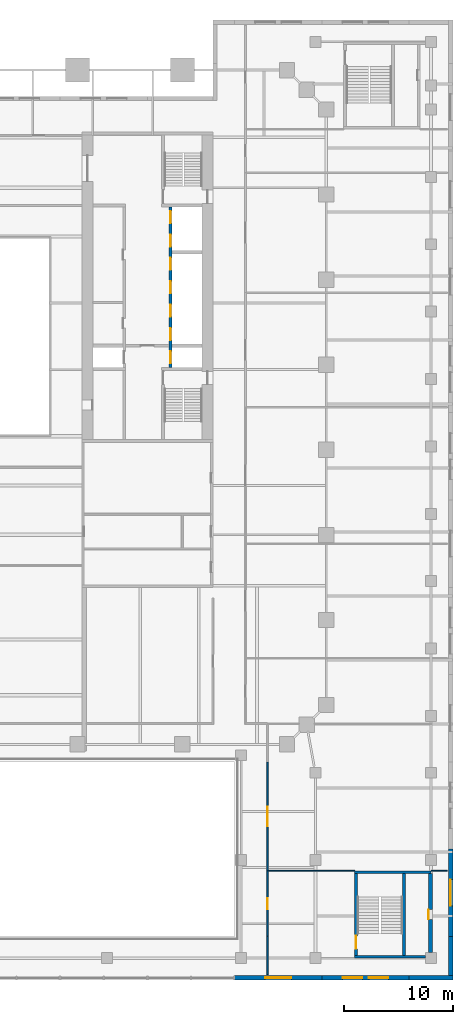
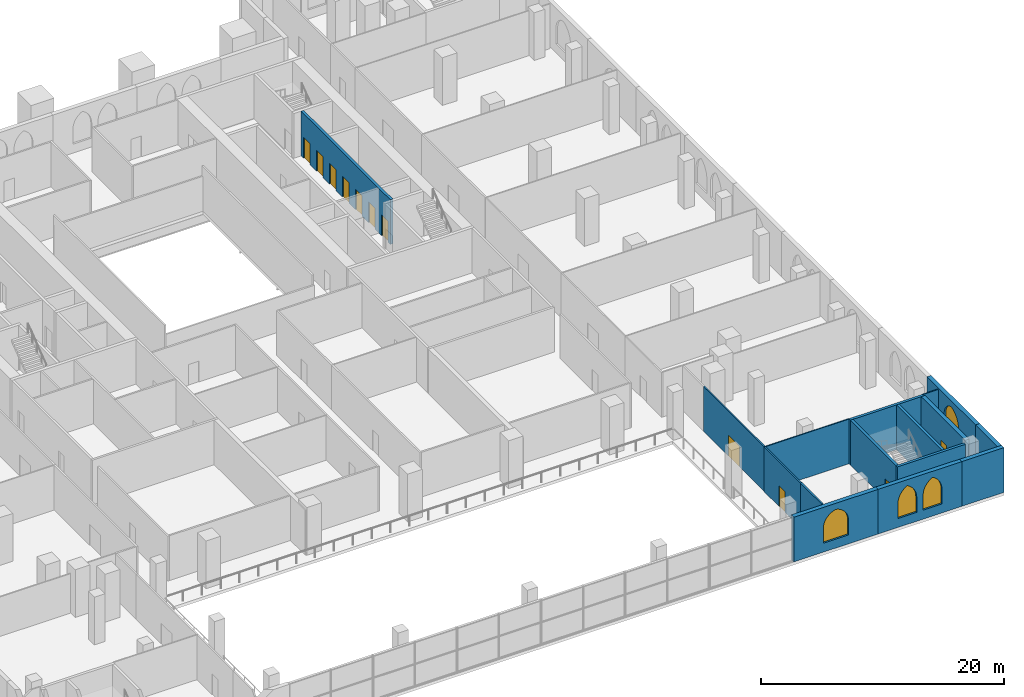
# One storey, part 12 of 19: 16 walls, 11 doors, 4 windows, 15 openings.
"""IFC4 building model written with IfcOpenShell, lengths in metres."""

from ifc_helpers import new_model, si_unit, direction, frame, frame_2d, origin, place, context, subcontext, project, spatial, polyline, rectangle, outline, extrude, material, layer, layer_set, type_object, element, fill, save


model = new_model("IFC4")

# Units and contexts
model_context = context("Model", 3, precision=1e-05, world=origin(), true_north=direction((0.0, 1.0)))
body_context = subcontext(model_context, "Body", "Model", "MODEL_VIEW")
ifc_project = project(units=[si_unit("LENGTHUNIT", "METRE"), si_unit("AREAUNIT", "SQUARE_METRE"), si_unit("VOLUMEUNIT", "CUBIC_METRE"), si_unit("PLANEANGLEUNIT", "RADIAN"), si_unit("MASSUNIT", "GRAM", prefix="KILO")], contexts=[model_context])

# Site, building, storey
site_placement = place(None, origin())
site = spatial("IfcSite", under=ifc_project, at=site_placement, CompositionType="ELEMENT")
building_placement = place(site_placement, origin())
building = spatial("IfcBuilding", under=site, at=building_placement, Name="Ogive Exchange Tower", CompositionType="ELEMENT")
storey_placement = place(building_placement, frame((0.0, 0.0, 24.0)))
storey = spatial("IfcBuildingStorey", under=building, at=storey_placement, Name="L04", CompositionType="ELEMENT", Elevation=24.0)

# Wall
ifc_material_1 = material(Name="Fire partition EI 60 150")
ifc_layer_1 = layer(ifc_material_1, 0.14990234375)
ifc_layer_set_1 = layer_set([ifc_layer_1], Name="Fire partition EI 60 150")
wall_type_1 = type_object("IfcWallType", Name="Fire partition EI 60 150", PredefinedType="PARTITIONING", material=ifc_layer_set_1)
wall_1_placement = place(storey_placement, frame((27.0, -51.5, 0.0), z_axis=(0.0, 0.0, 1.0), x_axis=(0.0, 1.0, 0.0)))
element("IfcWall", 1, at=wall_1_placement, inside=storey, type_object=wall_type_1, Name="L04-PWL-066", PredefinedType="PARTITIONING", context=body_context, shape_type="SweptSolid", body=[
    extrude(rectangle(XDim=3.5, YDim=0.14990234375, at=frame_2d((1.75, 0.0))), origin(), (0.0, 0.0, 1.0), 4.5),
])

# Wall, opening, door
wall_2_placement = place(storey_placement, frame((27.0, -48.0, 0.0), z_axis=(0.0, 0.0, 1.0), x_axis=(0.0, 1.0, 0.0)))
wall_2 = element("IfcWall", 2, at=wall_2_placement, inside=storey, type_object=wall_type_1, Name="L04-PWL-067", PredefinedType="PARTITIONING", context=body_context, shape_type="SweptSolid", body=[
    extrude(rectangle(XDim=6.0, YDim=0.14990234375, at=frame_2d((3.0, 0.0))), origin(), (0.0, 0.0, 1.0), 4.5),
])
opening_1_placement = place(wall_2_placement, frame((2.5, 0.0, 0.0)))
opening_1 = element("IfcOpeningElement", 3, at=opening_1_placement, cuts=wall_2, Name="Opening L04-I16", PredefinedType="OPENING", context=body_context, shape_type="SweptSolid", body=[
    extrude(rectangle(XDim=1.0, YDim=2.10009765625, at=frame_2d((0.5, 1.050048828125))), frame((0.0, 0.0849609375, 0.0), z_axis=(0.0, -1.0, 0.0), x_axis=(1.0, 0.0, 0.0)), (0.0, 0.0, 1.0), 0.169921875),
])
ifc_material_2 = material(Name="Fire door FD 30S 1000 x 2100")
door_type_1 = type_object("IfcDoorType", Name="Fire door FD 30S 1000 x 2100", OperationType="NOTDEFINED", PredefinedType="DOOR", material=ifc_material_2)
door_1_placement = place(opening_1_placement, frame((1.0, 0.0, 0.0), z_axis=(0.0, 0.0, 1.0), x_axis=(-1.0, 0.0, 0.0)))
door_1 = element("IfcDoor", 4, at=door_1_placement, inside=storey, type_object=door_type_1, Name="L04-IDR-016", ObjectType="DT3", OperationType="SINGLE_SWING_RIGHT", OverallHeight=2.10009765625, OverallWidth=1.0, PredefinedType="DOOR", context=body_context, shape_type="SweptSolid", body=[
    extrude(rectangle(XDim=1.0, YDim=2.10009765625, at=frame_2d((0.5, 1.050048828125))), frame((0.0, 0.02490234375, 0.0), z_axis=(0.0, -1.0, 0.0), x_axis=(1.0, 0.0, 0.0)), (0.0, 0.0, 1.0), 0.050048828125),
])
fill(opening_1, door_1)

ifc_material_3 = material(Name="Glazed fire partition EI 60 120")
ifc_layer_2 = layer(ifc_material_3, 0.1201171875)
ifc_layer_set_2 = layer_set([ifc_layer_2], Name="Glazed fire partition EI 60 120")
wall_type_2 = type_object("IfcWallType", Name="Glazed fire partition EI 60 120", PredefinedType="PARTITIONING", material=ifc_layer_set_2)
wall_3_placement = place(storey_placement, frame((27.0, -42.0, 0.0), z_axis=(0.0, 0.0, 1.0), x_axis=(0.0, 1.0, 0.0)))
wall_3 = element("IfcWall", 5, at=wall_3_placement, inside=storey, type_object=wall_type_2, Name="L04-PWL-068", PredefinedType="PARTITIONING", context=body_context, shape_type="SweptSolid", body=[
    extrude(rectangle(XDim=10.0, YDim=0.1201171875, at=frame_2d((5.0, 0.0))), origin(), (0.0, 0.0, 1.0), 4.5),
])
opening_2_placement = place(wall_3_placement, frame((4.10009765625, 0.0, 0.0)))
opening_2 = element("IfcOpeningElement", 6, at=opening_2_placement, cuts=wall_3, Name="Opening L04-I17", PredefinedType="OPENING", context=body_context, shape_type="SweptSolid", body=[
    extrude(rectangle(XDim=1.800048828125, YDim=2.10009765625, at=frame_2d((0.89990234375, 1.050048828125))), frame((0.0, 0.070068359375, 0.0), z_axis=(0.0, -1.0, 0.0), x_axis=(1.0, 0.0, 0.0)), (0.0, 0.0, 1.0), 0.14013671875),
])
ifc_material_4 = material(Name="Fire door FD 30S 1800 x 2100")
door_type_2 = type_object("IfcDoorType", Name="Fire door FD 30S 1800 x 2100", OperationType="DOUBLE_DOOR_SINGLE_SWING", PredefinedType="DOOR", material=ifc_material_4)
door_2_placement = place(opening_2_placement, frame((1.800048828125, 0.0, 0.0), z_axis=(0.0, 0.0, 1.0), x_axis=(-1.0, 0.0, 0.0)))
door_2 = element("IfcDoor", 7, at=door_2_placement, inside=storey, type_object=door_type_2, Name="L04-IDR-017", ObjectType="DT4", OperationType="SINGLE_SWING_RIGHT", OverallHeight=2.10009765625, OverallWidth=1.800048828125, PredefinedType="DOOR", context=body_context, shape_type="SweptSolid", body=[
    extrude(rectangle(XDim=1.800048828125, YDim=2.10009765625, at=frame_2d((0.89990234375, 1.050048828125))), frame((0.0, 0.02490234375, 0.0), z_axis=(0.0, -1.0, 0.0), x_axis=(1.0, 0.0, 0.0)), (0.0, 0.0, 1.0), 0.050048828125),
])
fill(opening_2, door_2)

# Wall, opening, window
ifc_material_5 = material(Name="Precast concrete C40/50", Category="concrete")
ifc_layer_3 = layer(ifc_material_5, 0.39990234375)
ifc_layer_set_3 = layer_set([ifc_layer_3], Name="Limestone-faced wall 400")
wall_type_3 = type_object("IfcWallType", Name="Limestone-faced wall 400", PredefinedType="STANDARD", material=ifc_layer_set_3)
wall_4_placement = place(storey_placement, frame((24.0, -51.800048828125, 0.0), z_axis=(0.0, 0.0, 1.0), x_axis=(1.0, 0.0, 0.0)))
wall_4 = element("IfcWall", 8, at=wall_4_placement, inside=storey, type_object=wall_type_3, Name="Podium wall S10", PredefinedType="STANDARD", context=body_context, shape_type="SweptSolid", body=[
    extrude(rectangle(XDim=8.0, YDim=0.39990234375, at=frame_2d((4.0, 0.0))), origin(), (0.0, 0.0, 1.0), 4.5),
])
opening_3_placement = place(wall_4_placement, frame((2.800048828125, 0.0, 0.89990234375)))
opening_3 = element("IfcOpeningElement", 9, at=opening_3_placement, cuts=wall_4, Name="Opening WP300", PredefinedType="OPENING", context=body_context, shape_type="SweptSolid", body=[
    extrude(outline(polyline([(0.0, 0.0), (2.39990234375, 0.0), (2.39990234375, 1.5), (2.378173828125, 1.758056640625), (2.313232421875, 2.009033203125), (2.207275390625, 2.245361328125), (2.06298828125, 2.46044921875), (1.884765625, 2.6484375), (1.677490234375, 2.8037109375), (1.447021484375, 2.922119140625), (1.199951171875, 3.0), (0.952880859375, 2.922119140625), (0.722412109375, 2.8037109375), (0.51513671875, 2.6484375), (0.3369140625, 2.46044921875), (0.192626953125, 2.245361328125), (0.086669921875, 2.009033203125), (0.021728515625, 1.758056640625), (0.0, 1.5), (0.0, 0.0)])), frame((0.0, 0.2099609375, 0.0), z_axis=(0.0, -1.0, 0.0), x_axis=(1.0, 0.0, 0.0)), (0.0, 0.0, 1.0), 0.419921875),
])
ifc_material_6 = material(Name="Clear glass in bronze frame", Category="glass")
window_type_1 = type_object("IfcWindowType", Name="Podium lancet window 2400 x 3000", PartitioningType="DOUBLE_PANEL_VERTICAL", PredefinedType="WINDOW", material=ifc_material_6)
window_1_placement = place(opening_3_placement, origin())
window_1 = element("IfcWindow", 10, at=window_1_placement, inside=storey, type_object=window_type_1, Name="Podium window S10", OverallHeight=3.0, OverallWidth=2.39990234375, PartitioningType="DOUBLE_PANEL_VERTICAL", PredefinedType="WINDOW", context=body_context, shape_type="SweptSolid", body=[
    extrude(outline(polyline([(0.0, 0.0), (2.39990234375, 0.0), (2.39990234375, 1.5), (2.378173828125, 1.758056640625), (2.313232421875, 2.009033203125), (2.207275390625, 2.245361328125), (2.06298828125, 2.46044921875), (1.884765625, 2.6484375), (1.677490234375, 2.8037109375), (1.447021484375, 2.922119140625), (1.199951171875, 3.0), (0.952880859375, 2.922119140625), (0.722412109375, 2.8037109375), (0.51513671875, 2.6484375), (0.3369140625, 2.46044921875), (0.192626953125, 2.245361328125), (0.086669921875, 2.009033203125), (0.021728515625, 1.758056640625), (0.0, 1.5), (0.0, 0.0)])), frame((0.0, 0.030029296875, 0.0), z_axis=(0.0, -1.0, 0.0), x_axis=(1.0, 0.0, 0.0)), (0.0, 0.0, 1.0), 0.06005859375),
])
fill(opening_3, window_1)

# Wall, openings, windows
wall_5_placement = place(storey_placement, frame((32.0, -51.800048828125, 0.0), z_axis=(0.0, 0.0, 1.0), x_axis=(1.0, 0.0, 0.0)))
wall_5 = element("IfcWall", 11, at=wall_5_placement, inside=storey, type_object=wall_type_3, Name="Podium wall S11", PredefinedType="STANDARD", context=body_context, shape_type="SweptSolid", body=[
    extrude(rectangle(XDim=8.0, YDim=0.39990234375, at=frame_2d((4.0, 0.0))), origin(), (0.0, 0.0, 1.0), 4.5),
])
opening_4_placement = place(wall_5_placement, frame((1.89990234375, 0.0, 0.89990234375)))
opening_4 = element("IfcOpeningElement", 12, at=opening_4_placement, cuts=wall_5, Name="Opening WQ300", PredefinedType="OPENING", context=body_context, shape_type="SweptSolid", body=[
    extrude(outline(polyline([(0.0, 0.0), (1.800048828125, 0.0), (1.800048828125, 1.5), (1.78466796875, 1.72900390625), (1.73828125, 1.953857421875), (1.662353515625, 2.17041015625), (1.557861328125, 2.374755859375), (1.4267578125, 2.56298828125), (1.271484375, 2.73193359375), (1.0947265625, 2.878662109375), (0.89990234375, 3.0), (0.705322265625, 2.878662109375), (0.528564453125, 2.73193359375), (0.373291015625, 2.56298828125), (0.2421875, 2.374755859375), (0.1376953125, 2.17041015625), (0.061767578125, 1.953857421875), (0.015380859375, 1.72900390625), (0.0, 1.5), (0.0, 0.0)])), frame((0.0, 0.2099609375, 0.0), z_axis=(0.0, -1.0, 0.0), x_axis=(1.0, 0.0, 0.0)), (0.0, 0.0, 1.0), 0.419921875),
])
opening_5_placement = place(wall_5_placement, frame((4.300048828125, 0.0, 0.89990234375)))
opening_5 = element("IfcOpeningElement", 13, at=opening_5_placement, cuts=wall_5, Name="Opening WQ300", PredefinedType="OPENING", context=body_context, shape_type="SweptSolid", body=[
    extrude(outline(polyline([(0.0, 0.0), (1.800048828125, 0.0), (1.800048828125, 1.5), (1.78466796875, 1.72900390625), (1.73828125, 1.953857421875), (1.662353515625, 2.17041015625), (1.557861328125, 2.374755859375), (1.4267578125, 2.56298828125), (1.271484375, 2.73193359375), (1.0947265625, 2.878662109375), (0.89990234375, 3.0), (0.705322265625, 2.878662109375), (0.528564453125, 2.73193359375), (0.373291015625, 2.56298828125), (0.2421875, 2.374755859375), (0.1376953125, 2.17041015625), (0.061767578125, 1.953857421875), (0.015380859375, 1.72900390625), (0.0, 1.5), (0.0, 0.0)])), frame((0.0, 0.2099609375, 0.0), z_axis=(0.0, -1.0, 0.0), x_axis=(1.0, 0.0, 0.0)), (0.0, 0.0, 1.0), 0.419921875),
])
window_type_2 = type_object("IfcWindowType", Name="Podium paired lancet 1800 x 3000", PartitioningType="DOUBLE_PANEL_VERTICAL", PredefinedType="WINDOW", material=ifc_material_6)
window_2_placement = place(opening_4_placement, origin())
window_2 = element("IfcWindow", 14, at=window_2_placement, inside=storey, type_object=window_type_2, Name="Podium paired lancet S11.1", OverallHeight=3.0, OverallWidth=1.800048828125, PartitioningType="DOUBLE_PANEL_VERTICAL", PredefinedType="WINDOW", context=body_context, shape_type="SweptSolid", body=[
    extrude(outline(polyline([(0.0, 0.0), (1.800048828125, 0.0), (1.800048828125, 1.5), (1.78466796875, 1.72900390625), (1.73828125, 1.953857421875), (1.662353515625, 2.17041015625), (1.557861328125, 2.374755859375), (1.4267578125, 2.56298828125), (1.271484375, 2.73193359375), (1.0947265625, 2.878662109375), (0.89990234375, 3.0), (0.705322265625, 2.878662109375), (0.528564453125, 2.73193359375), (0.373291015625, 2.56298828125), (0.2421875, 2.374755859375), (0.1376953125, 2.17041015625), (0.061767578125, 1.953857421875), (0.015380859375, 1.72900390625), (0.0, 1.5), (0.0, 0.0)])), frame((0.0, 0.030029296875, 0.0), z_axis=(0.0, -1.0, 0.0), x_axis=(1.0, 0.0, 0.0)), (0.0, 0.0, 1.0), 0.06005859375),
])
fill(opening_4, window_2)
window_3_placement = place(opening_5_placement, origin())
window_3 = element("IfcWindow", 15, at=window_3_placement, inside=storey, type_object=window_type_2, Name="Podium paired lancet S11.2", OverallHeight=3.0, OverallWidth=1.800048828125, PartitioningType="DOUBLE_PANEL_VERTICAL", PredefinedType="WINDOW", context=body_context, shape_type="SweptSolid", body=[
    extrude(outline(polyline([(0.0, 0.0), (1.800048828125, 0.0), (1.800048828125, 1.5), (1.78466796875, 1.72900390625), (1.73828125, 1.953857421875), (1.662353515625, 2.17041015625), (1.557861328125, 2.374755859375), (1.4267578125, 2.56298828125), (1.271484375, 2.73193359375), (1.0947265625, 2.878662109375), (0.89990234375, 3.0), (0.705322265625, 2.878662109375), (0.528564453125, 2.73193359375), (0.373291015625, 2.56298828125), (0.2421875, 2.374755859375), (0.1376953125, 2.17041015625), (0.061767578125, 1.953857421875), (0.015380859375, 1.72900390625), (0.0, 1.5), (0.0, 0.0)])), frame((0.0, 0.030029296875, 0.0), z_axis=(0.0, -1.0, 0.0), x_axis=(1.0, 0.0, 0.0)), (0.0, 0.0, 1.0), 0.06005859375),
])
fill(opening_5, window_3)

# Walls
wall_6_placement = place(storey_placement, frame((40.0, -51.800048828125, 0.0), z_axis=(0.0, 0.0, 1.0), x_axis=(1.0, 0.0, 0.0)))
element("IfcWall", 16, at=wall_6_placement, inside=storey, type_object=wall_type_3, Name="Podium wall S12", PredefinedType="STANDARD", context=body_context, shape_type="SweptSolid", body=[
    extrude(rectangle(XDim=4.0, YDim=0.39990234375, at=frame_2d((2.0, 0.0))), origin(), (0.0, 0.0, 1.0), 4.5),
])
wall_7_placement = place(storey_placement, frame((43.800048828125, -51.60009765625, 0.0), z_axis=(0.0, 0.0, 1.0), x_axis=(0.0, 1.0, 0.0)))
element("IfcWall", 17, at=wall_7_placement, inside=storey, type_object=wall_type_3, Name="Podium wall E1", PredefinedType="STANDARD", context=body_context, shape_type="SweptSolid", body=[
    extrude(rectangle(XDim=3.60009765625, YDim=0.39990234375, at=frame_2d((1.800048828125, 0.0))), origin(), (0.0, 0.0, 1.0), 4.5),
])

# Wall, opening, window
wall_8_placement = place(storey_placement, frame((43.800048828125, -48.0, 0.0), z_axis=(0.0, 0.0, 1.0), x_axis=(0.0, 1.0, 0.0)))
wall_8 = element("IfcWall", 18, at=wall_8_placement, inside=storey, type_object=wall_type_3, Name="Podium wall E2", PredefinedType="STANDARD", context=body_context, shape_type="SweptSolid", body=[
    extrude(rectangle(XDim=8.0, YDim=0.39990234375, at=frame_2d((4.0, 0.0))), origin(), (0.0, 0.0, 1.0), 4.5),
])
opening_6_placement = place(wall_8_placement, frame((2.800048828125, 0.0, 0.89990234375)))
opening_6 = element("IfcOpeningElement", 19, at=opening_6_placement, cuts=wall_8, Name="Opening WP300", PredefinedType="OPENING", context=body_context, shape_type="SweptSolid", body=[
    extrude(outline(polyline([(0.0, 0.0), (2.39990234375, 0.0), (2.39990234375, 1.5), (2.378173828125, 1.758056640625), (2.313232421875, 2.009033203125), (2.207275390625, 2.245361328125), (2.06298828125, 2.46044921875), (1.884765625, 2.6484375), (1.677490234375, 2.8037109375), (1.447021484375, 2.922119140625), (1.199951171875, 3.0), (0.952880859375, 2.922119140625), (0.722412109375, 2.8037109375), (0.51513671875, 2.6484375), (0.3369140625, 2.46044921875), (0.192626953125, 2.245361328125), (0.086669921875, 2.009033203125), (0.021728515625, 1.758056640625), (0.0, 1.5), (0.0, 0.0)])), frame((0.0, 0.2099609375, 0.0), z_axis=(0.0, -1.0, 0.0), x_axis=(1.0, 0.0, 0.0)), (0.0, 0.0, 1.0), 0.419921875),
])
window_4_placement = place(opening_6_placement, origin())
window_4 = element("IfcWindow", 20, at=window_4_placement, inside=storey, type_object=window_type_1, Name="Podium window E2", OverallHeight=3.0, OverallWidth=2.39990234375, PartitioningType="DOUBLE_PANEL_VERTICAL", PredefinedType="WINDOW", context=body_context, shape_type="SweptSolid", body=[
    extrude(outline(polyline([(0.0, 0.0), (2.39990234375, 0.0), (2.39990234375, 1.5), (2.378173828125, 1.758056640625), (2.313232421875, 2.009033203125), (2.207275390625, 2.245361328125), (2.06298828125, 2.46044921875), (1.884765625, 2.6484375), (1.677490234375, 2.8037109375), (1.447021484375, 2.922119140625), (1.199951171875, 3.0), (0.952880859375, 2.922119140625), (0.722412109375, 2.8037109375), (0.51513671875, 2.6484375), (0.3369140625, 2.46044921875), (0.192626953125, 2.245361328125), (0.086669921875, 2.009033203125), (0.021728515625, 1.758056640625), (0.0, 1.5), (0.0, 0.0)])), frame((0.0, 0.030029296875, 0.0), z_axis=(0.0, -1.0, 0.0), x_axis=(1.0, 0.0, 0.0)), (0.0, 0.0, 1.0), 0.06005859375),
])
fill(opening_6, window_4)

# Walls
ifc_material_7 = material(Name="Partition 100 gypsum")
ifc_layer_4 = layer(ifc_material_7, 0.10009765625)
ifc_layer_set_4 = layer_set([ifc_layer_4], Name="Partition 100 gypsum")
wall_type_4 = type_object("IfcWallType", Name="Partition 100 gypsum", PredefinedType="PARTITIONING", material=ifc_layer_set_4)
wall_9_placement = place(storey_placement, frame((27.074951171875, -42.0, 0.0), z_axis=(0.0, 0.0, 1.0), x_axis=(1.0, 0.0, 0.0)))
element("IfcWall", 21, at=wall_9_placement, inside=storey, type_object=wall_type_4, Name="L04-PWL-003", PredefinedType="PARTITIONING", context=body_context, shape_type="SweptSolid", body=[
    extrude(rectangle(XDim=7.925048828125, YDim=0.10009765625, at=frame_2d((3.96240234375, 0.0))), origin(), (0.0, 0.0, 1.0), 4.5),
])
wall_10_placement = place(storey_placement, frame((42.0, -42.0, 0.0), z_axis=(0.0, 0.0, 1.0), x_axis=(1.0, 0.0, 0.0)))
element("IfcWall", 22, at=wall_10_placement, inside=storey, type_object=wall_type_4, Name="L04-PWL-004", PredefinedType="PARTITIONING", context=body_context, shape_type="SweptSolid", body=[
    extrude(rectangle(XDim=1.5, YDim=0.10009765625, at=frame_2d((0.75, 0.0))), origin(), (0.0, 0.0, 1.0), 4.5),
])

# Wall, openings, doors
ifc_material_8 = material(Name="Concrete C70/85", Category="concrete")
ifc_layer_5 = layer(ifc_material_8, 0.25)
ifc_layer_set_5 = layer_set([ifc_layer_5], Name="RC core wall 250 C70/85")
wall_type_5 = type_object("IfcWallType", Name="RC core wall 250 C70/85", PredefinedType="SHEAR", material=ifc_layer_set_5)
wall_11_placement = place(storey_placement, frame((18.125, 4.14990234375, 0.0), z_axis=(0.0, 0.0, 1.0), x_axis=(0.0, 1.0, 0.0)))
wall_11 = element("IfcWall", 23, at=wall_11_placement, inside=storey, type_object=wall_type_5, Name="E row A front wall", PredefinedType="SHEAR", context=body_context, shape_type="SweptSolid", body=[
    extrude(rectangle(XDim=14.7001953125, YDim=0.25, at=frame_2d((7.35009765625, 0.0))), origin(), (0.0, 0.0, 1.0), 4.5),
])
opening_7_placement = place(wall_11_placement, frame((0.371337890625, 0.0, 0.0)))
opening_7 = element("IfcOpeningElement", 24, at=opening_7_placement, cuts=wall_11, Name="Opening L04-C23", PredefinedType="OPENING", context=body_context, shape_type="SweptSolid", body=[
    extrude(rectangle(XDim=1.10009765625, YDim=2.10009765625, at=frame_2d((0.550048828125, 1.050048828125))), frame((0.0, 0.135009765625, 0.0), z_axis=(0.0, -1.0, 0.0), x_axis=(1.0, 0.0, 0.0)), (0.0, 0.0, 1.0), 0.27001953125),
])
opening_8_placement = place(wall_11_placement, frame((2.514404296875, 0.0, 0.0)))
opening_8 = element("IfcOpeningElement", 25, at=opening_8_placement, cuts=wall_11, Name="Opening L04-C24", PredefinedType="OPENING", context=body_context, shape_type="SweptSolid", body=[
    extrude(rectangle(XDim=1.10009765625, YDim=2.10009765625, at=frame_2d((0.550048828125, 1.050048828125))), frame((0.0, 0.135009765625, 0.0), z_axis=(0.0, -1.0, 0.0), x_axis=(1.0, 0.0, 0.0)), (0.0, 0.0, 1.0), 0.27001953125),
])
opening_9_placement = place(wall_11_placement, frame((4.656982421875, 0.0, 0.0)))
opening_9 = element("IfcOpeningElement", 26, at=opening_9_placement, cuts=wall_11, Name="Opening L04-C25", PredefinedType="OPENING", context=body_context, shape_type="SweptSolid", body=[
    extrude(rectangle(XDim=1.10009765625, YDim=2.10009765625, at=frame_2d((0.550048828125, 1.050048828125))), frame((0.0, 0.135009765625, 0.0), z_axis=(0.0, -1.0, 0.0), x_axis=(1.0, 0.0, 0.0)), (0.0, 0.0, 1.0), 0.27001953125),
])
opening_10_placement = place(wall_11_placement, frame((6.800048828125, 0.0, 0.0)))
opening_10 = element("IfcOpeningElement", 27, at=opening_10_placement, cuts=wall_11, Name="Opening L04-C26", PredefinedType="OPENING", context=body_context, shape_type="SweptSolid", body=[
    extrude(rectangle(XDim=1.10009765625, YDim=2.10009765625, at=frame_2d((0.550048828125, 1.050048828125))), frame((0.0, 0.135009765625, 0.0), z_axis=(0.0, -1.0, 0.0), x_axis=(1.0, 0.0, 0.0)), (0.0, 0.0, 1.0), 0.27001953125),
])
opening_11_placement = place(wall_11_placement, frame((8.94287109375, 0.0, 0.0)))
opening_11 = element("IfcOpeningElement", 28, at=opening_11_placement, cuts=wall_11, Name="Opening L04-C27", PredefinedType="OPENING", context=body_context, shape_type="SweptSolid", body=[
    extrude(rectangle(XDim=1.10009765625, YDim=2.10009765625, at=frame_2d((0.550048828125, 1.050048828125))), frame((0.0, 0.135009765625, 0.0), z_axis=(0.0, -1.0, 0.0), x_axis=(1.0, 0.0, 0.0)), (0.0, 0.0, 1.0), 0.27001953125),
])
opening_12_placement = place(wall_11_placement, frame((11.085693359375, 0.0, 0.0)))
opening_12 = element("IfcOpeningElement", 29, at=opening_12_placement, cuts=wall_11, Name="Opening L04-C28", PredefinedType="OPENING", context=body_context, shape_type="SweptSolid", body=[
    extrude(rectangle(XDim=1.10009765625, YDim=2.10009765625, at=frame_2d((0.550048828125, 1.050048828125))), frame((0.0, 0.135009765625, 0.0), z_axis=(0.0, -1.0, 0.0), x_axis=(1.0, 0.0, 0.0)), (0.0, 0.0, 1.0), 0.27001953125),
])
opening_13_placement = place(wall_11_placement, frame((13.228515625, 0.0, 0.0)))
opening_13 = element("IfcOpeningElement", 30, at=opening_13_placement, cuts=wall_11, Name="Opening L04-C29", PredefinedType="OPENING", context=body_context, shape_type="SweptSolid", body=[
    extrude(rectangle(XDim=1.10009765625, YDim=2.10009765625, at=frame_2d((0.550048828125, 1.050048828125))), frame((0.0, 0.135009765625, 0.0), z_axis=(0.0, -1.0, 0.0), x_axis=(1.0, 0.0, 0.0)), (0.0, 0.0, 1.0), 0.27001953125),
])
ifc_material_9 = material(Name="Stainless steel", Category="steel")
door_type_3 = type_object("IfcDoorType", Name="Lift landing door FD90 1100 x 2100", OperationType="SLIDING_TO_LEFT", PredefinedType="DOOR", material=ifc_material_9)
door_3_placement = place(opening_7_placement, origin())
door_3 = element("IfcDoor", 31, at=door_3_placement, inside=storey, type_object=door_type_3, Name="Lift landing door FF2", ObjectType="LD", OperationType="SLIDING_TO_LEFT", OverallHeight=2.10009765625, OverallWidth=1.10009765625, PredefinedType="DOOR", context=body_context, shape_type="SweptSolid", body=[
    extrude(rectangle(XDim=1.10009765625, YDim=2.10009765625, at=frame_2d((0.550048828125, 1.050048828125))), frame((0.0, 0.02490234375, 0.0), z_axis=(0.0, -1.0, 0.0), x_axis=(1.0, 0.0, 0.0)), (0.0, 0.0, 1.0), 0.050048828125),
])
fill(opening_7, door_3)
door_4_placement = place(opening_8_placement, origin())
door_4 = element("IfcDoor", 32, at=door_4_placement, inside=storey, type_object=door_type_3, Name="Lift landing door E-L1", ObjectType="LD", OperationType="SLIDING_TO_LEFT", OverallHeight=2.10009765625, OverallWidth=1.10009765625, PredefinedType="DOOR", context=body_context, shape_type="SweptSolid", body=[
    extrude(rectangle(XDim=1.10009765625, YDim=2.10009765625, at=frame_2d((0.550048828125, 1.050048828125))), frame((0.0, 0.02490234375, 0.0), z_axis=(0.0, -1.0, 0.0), x_axis=(1.0, 0.0, 0.0)), (0.0, 0.0, 1.0), 0.050048828125),
])
fill(opening_8, door_4)
door_5_placement = place(opening_9_placement, origin())
door_5 = element("IfcDoor", 33, at=door_5_placement, inside=storey, type_object=door_type_3, Name="Lift landing door E-L2", ObjectType="LD", OperationType="SLIDING_TO_LEFT", OverallHeight=2.10009765625, OverallWidth=1.10009765625, PredefinedType="DOOR", context=body_context, shape_type="SweptSolid", body=[
    extrude(rectangle(XDim=1.10009765625, YDim=2.10009765625, at=frame_2d((0.550048828125, 1.050048828125))), frame((0.0, 0.02490234375, 0.0), z_axis=(0.0, -1.0, 0.0), x_axis=(1.0, 0.0, 0.0)), (0.0, 0.0, 1.0), 0.050048828125),
])
fill(opening_9, door_5)
door_6_placement = place(opening_10_placement, origin())
door_6 = element("IfcDoor", 34, at=door_6_placement, inside=storey, type_object=door_type_3, Name="Lift landing door E-L3", ObjectType="LD", OperationType="SLIDING_TO_LEFT", OverallHeight=2.10009765625, OverallWidth=1.10009765625, PredefinedType="DOOR", context=body_context, shape_type="SweptSolid", body=[
    extrude(rectangle(XDim=1.10009765625, YDim=2.10009765625, at=frame_2d((0.550048828125, 1.050048828125))), frame((0.0, 0.02490234375, 0.0), z_axis=(0.0, -1.0, 0.0), x_axis=(1.0, 0.0, 0.0)), (0.0, 0.0, 1.0), 0.050048828125),
])
fill(opening_10, door_6)
door_7_placement = place(opening_11_placement, origin())
door_7 = element("IfcDoor", 35, at=door_7_placement, inside=storey, type_object=door_type_3, Name="Lift landing door E-L4", ObjectType="LD", OperationType="SLIDING_TO_LEFT", OverallHeight=2.10009765625, OverallWidth=1.10009765625, PredefinedType="DOOR", context=body_context, shape_type="SweptSolid", body=[
    extrude(rectangle(XDim=1.10009765625, YDim=2.10009765625, at=frame_2d((0.550048828125, 1.050048828125))), frame((0.0, 0.02490234375, 0.0), z_axis=(0.0, -1.0, 0.0), x_axis=(1.0, 0.0, 0.0)), (0.0, 0.0, 1.0), 0.050048828125),
])
fill(opening_11, door_7)
door_8_placement = place(opening_12_placement, origin())
door_8 = element("IfcDoor", 36, at=door_8_placement, inside=storey, type_object=door_type_3, Name="Lift landing door E-SH1", ObjectType="LD", OperationType="SLIDING_TO_LEFT", OverallHeight=2.10009765625, OverallWidth=1.10009765625, PredefinedType="DOOR", context=body_context, shape_type="SweptSolid", body=[
    extrude(rectangle(XDim=1.10009765625, YDim=2.10009765625, at=frame_2d((0.550048828125, 1.050048828125))), frame((0.0, 0.02490234375, 0.0), z_axis=(0.0, -1.0, 0.0), x_axis=(1.0, 0.0, 0.0)), (0.0, 0.0, 1.0), 0.050048828125),
])
fill(opening_12, door_8)
door_9_placement = place(opening_13_placement, origin())
door_9 = element("IfcDoor", 37, at=door_9_placement, inside=storey, type_object=door_type_3, Name="Lift landing door E-SH2", ObjectType="LD", OperationType="SLIDING_TO_LEFT", OverallHeight=2.10009765625, OverallWidth=1.10009765625, PredefinedType="DOOR", context=body_context, shape_type="SweptSolid", body=[
    extrude(rectangle(XDim=1.10009765625, YDim=2.10009765625, at=frame_2d((0.550048828125, 1.050048828125))), frame((0.0, 0.02490234375, 0.0), z_axis=(0.0, -1.0, 0.0), x_axis=(1.0, 0.0, 0.0)), (0.0, 0.0, 1.0), 0.050048828125),
])
fill(opening_13, door_9)

# Walls
wall_12_placement = place(storey_placement, frame((35.0, -49.875, 0.0), z_axis=(0.0, 0.0, 1.0), x_axis=(1.0, 0.0, 0.0)))
element("IfcWall", 38, at=wall_12_placement, inside=storey, type_object=wall_type_5, Name="PS2 south wall", PredefinedType="SHEAR", context=body_context, shape_type="SweptSolid", body=[
    extrude(rectangle(XDim=6.5, YDim=0.25, at=frame_2d((3.25, 0.0))), origin(), (0.0, 0.0, 1.0), 4.5),
])
wall_13_placement = place(storey_placement, frame((35.0, -42.125, 0.0), z_axis=(0.0, 0.0, 1.0), x_axis=(1.0, 0.0, 0.0)))
element("IfcWall", 39, at=wall_13_placement, inside=storey, type_object=wall_type_5, Name="PS2 north wall", PredefinedType="SHEAR", context=body_context, shape_type="SweptSolid", body=[
    extrude(rectangle(XDim=7.0, YDim=0.25, at=frame_2d((3.5, 0.0))), origin(), (0.0, 0.0, 1.0), 4.5),
])

# Wall, opening, door
wall_14_placement = place(storey_placement, frame((35.125, -49.75, 0.0), z_axis=(0.0, 0.0, 1.0), x_axis=(0.0, 1.0, 0.0)))
wall_14 = element("IfcWall", 40, at=wall_14_placement, inside=storey, type_object=wall_type_5, Name="PS2 west wall", PredefinedType="SHEAR", context=body_context, shape_type="SweptSolid", body=[
    extrude(rectangle(XDim=7.5, YDim=0.25, at=frame_2d((3.75, 0.0))), origin(), (0.0, 0.0, 1.0), 4.5),
])
opening_14_placement = place(wall_14_placement, frame((0.60009765625, 0.0, 0.0)))
opening_14 = element("IfcOpeningElement", 41, at=opening_14_placement, cuts=wall_14, Name="Opening L04-C46", PredefinedType="OPENING", context=body_context, shape_type="SweptSolid", body=[
    extrude(rectangle(XDim=1.199951171875, YDim=2.10009765625, at=frame_2d((0.60009765625, 1.050048828125))), frame((0.0, 0.135009765625, 0.0), z_axis=(0.0, -1.0, 0.0), x_axis=(1.0, 0.0, 0.0)), (0.0, 0.0, 1.0), 0.27001953125),
])
ifc_material_10 = material(Name="Steel fire door", Category="steel")
door_type_4 = type_object("IfcDoorType", Name="Stair door FD90 1200 x 2100", OperationType="NOTDEFINED", PredefinedType="DOOR", material=ifc_material_10)
door_10_placement = place(opening_14_placement, origin())
door_10 = element("IfcDoor", 42, at=door_10_placement, inside=storey, type_object=door_type_4, Name="Stair door", ObjectType="CD5", OperationType="SINGLE_SWING_RIGHT", OverallHeight=2.10009765625, OverallWidth=1.199951171875, PredefinedType="DOOR", context=body_context, shape_type="SweptSolid", body=[
    extrude(rectangle(XDim=1.199951171875, YDim=2.10009765625, at=frame_2d((0.60009765625, 1.050048828125))), frame((0.0, 0.02490234375, 0.0), z_axis=(0.0, -1.0, 0.0), x_axis=(1.0, 0.0, 0.0)), (0.0, 0.0, 1.0), 0.050048828125),
])
fill(opening_14, door_10)

# Wall
wall_15_placement = place(storey_placement, frame((39.52490234375, -49.75, 0.0), z_axis=(0.0, 0.0, 1.0), x_axis=(0.0, 1.0, 0.0)))
element("IfcWall", 43, at=wall_15_placement, inside=storey, type_object=wall_type_5, Name="PS2 partition wall", PredefinedType="SHEAR", context=body_context, shape_type="SweptSolid", body=[
    extrude(rectangle(XDim=7.5, YDim=0.25, at=frame_2d((3.75, 0.0))), origin(), (0.0, 0.0, 1.0), 4.5),
])

# Wall, opening, door
ifc_layer_6 = layer(ifc_material_8, 0.383544921875)
ifc_layer_set_6 = layer_set([ifc_layer_6], Name="RC core wall 384 C70/85")
wall_type_6 = type_object("IfcWallType", Name="RC core wall 384 C70/85", PredefinedType="SHEAR", material=ifc_layer_set_6)
wall_16_placement = place(storey_placement, frame((41.941650390625, -49.5, 0.0), z_axis=(0.0, 0.0, 1.0), x_axis=(0.0, 1.0, 0.0)))
wall_16 = element("IfcWall", 44, at=wall_16_placement, inside=storey, type_object=wall_type_6, Name="PS2 east wall", PredefinedType="SHEAR", context=body_context, shape_type="SweptSolid", body=[
    extrude(rectangle(XDim=7.25, YDim=0.383544921875, at=frame_2d((3.625, 0.0))), origin(), (0.0, 0.0, 1.0), 4.5),
])
opening_15_placement = place(wall_16_placement, frame((3.050048828125, 0.0, 0.0)))
opening_15 = element("IfcOpeningElement", 45, at=opening_15_placement, cuts=wall_16, Name="Opening L04-C47", PredefinedType="OPENING", context=body_context, shape_type="SweptSolid", body=[
    extrude(rectangle(XDim=0.89990234375, YDim=2.10009765625, at=frame_2d((0.449951171875, 1.050048828125))), frame((0.0, 0.20166015625, 0.0), z_axis=(0.0, -1.0, 0.0), x_axis=(1.0, 0.0, 0.0)), (0.0, 0.0, 1.0), 0.403564453125),
])
door_type_5 = type_object("IfcDoorType", Name="Riser door FD60 900 x 2100", OperationType="NOTDEFINED", PredefinedType="DOOR", material=ifc_material_10)
door_11_placement = place(opening_15_placement, frame((0.89990234375, 0.33349609375, 0.0), z_axis=(0.0, 0.0, 1.0), x_axis=(-1.0, 0.0, 0.0)))
door_11 = element("IfcDoor", 46, at=door_11_placement, inside=storey, type_object=door_type_5, Name="Riser door", ObjectType="CD2", OperationType="SINGLE_SWING_RIGHT", OverallHeight=2.10009765625, OverallWidth=0.89990234375, PredefinedType="DOOR", context=body_context, shape_type="SweptSolid", body=[
    extrude(rectangle(XDim=0.89990234375, YDim=2.10009765625, at=frame_2d((0.449951171875, 1.050048828125))), frame((0.0, 0.19189453125, 0.0), z_axis=(0.0, -1.0, 0.0), x_axis=(1.0, 0.0, 0.0)), (0.0, 0.0, 1.0), 0.050048828125),
])
fill(opening_15, door_11)

save(model, "model.ifc")
